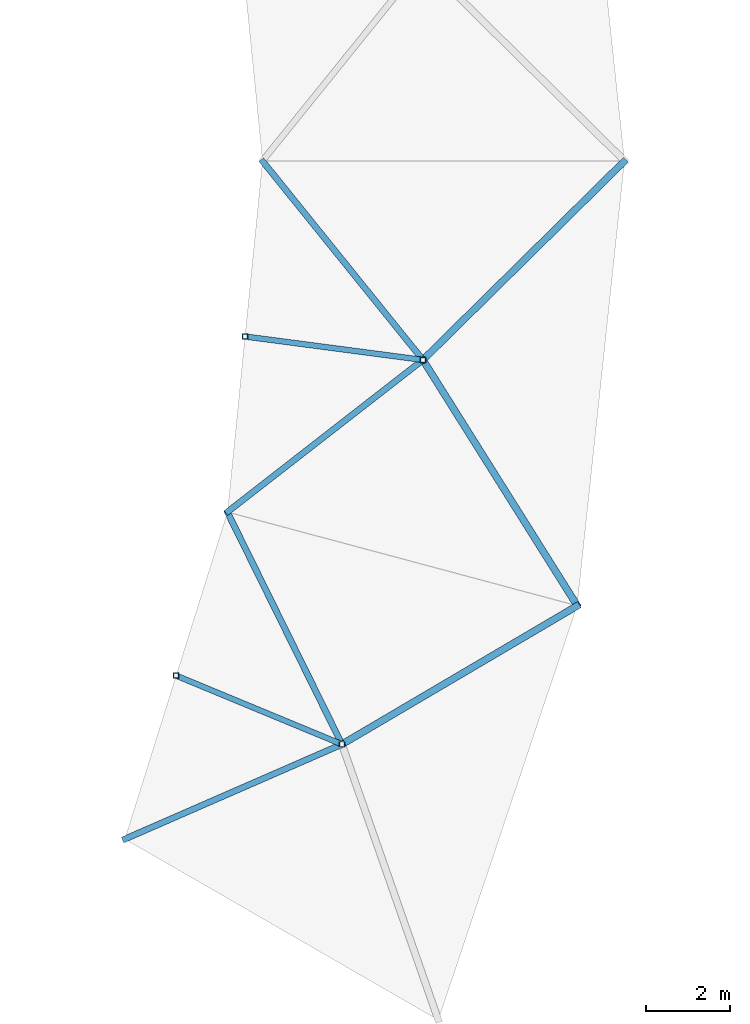
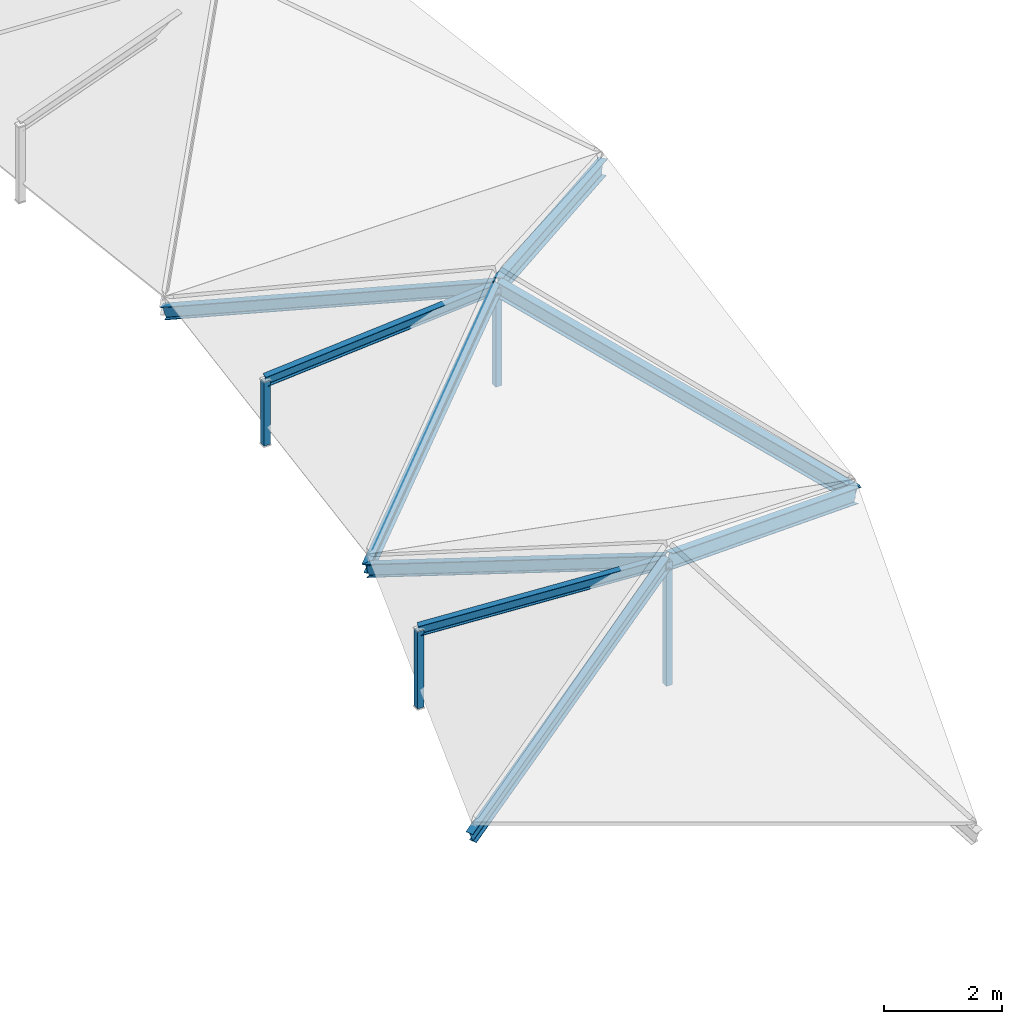
# One storey, part 11 of 28: 13 members.
"""IFC4 building model written with IfcOpenShell, lengths in metres."""

import ifcopenshell
import ifcopenshell.guid

model = None  # the IFC model being written
_history = None  # IfcOwnerHistory: only IFC2X3 demands one
_inside = {}  # id of a spatial element -> (the spatial element, [elements in it])
_under = {}  # id of a project, library or spatial element -> (it, [spatial elements below it])
_declared = {}  # id of a project -> (the project, [libraries it declares])
_typed = {}  # id of a type object -> (the type object, [elements of that type])
_made_of = {}  # id of a material, layer set ... -> (it, [elements and type objects made of it])


def new_model(schema):
    """Start an empty IFC model of exactly this schema.

    Asked for "IFC4X3", IfcOpenShell would pick the latest addendum, in which some entities
    have other attributes; the version numbers below select the first issue.
    IFC2X3 requires an IfcOwnerHistory on every rooted entity: one is made here for all.
    """
    global model, _history
    if schema == "IFC4X3":
        model = ifcopenshell.file(schema_version=(4, 3, 0, 0))
    else:
        model = ifcopenshell.file(schema=schema)
    _inside.clear()
    _under.clear()
    _declared.clear()
    _typed.clear()
    _made_of.clear()
    _history = None
    if model.schema == "IFC2X3":
        org = make("IfcOrganization", Name="unknown")
        user = make(
            "IfcPersonAndOrganization",
            ThePerson=make("IfcPerson", FamilyName="unknown"),
            TheOrganization=org,
        )
        app = make(
            "IfcApplication",
            ApplicationDeveloper=org,
            Version="unknown",
            ApplicationFullName="unknown",
            ApplicationIdentifier="unknown",
        )
        _history = make(
            "IfcOwnerHistory",
            OwningUser=user,
            OwningApplication=app,
            ChangeAction="ADDED",
            CreationDate=0,
        )
    return model


def make(cls, **values):
    """One entity of the class cls with the attributes given. An attribute that is None is left unset."""
    return model.create_entity(
        cls, **{name: value for name, value in values.items() if value is not None}
    )


def rooted(cls, **values):
    """An entity with a GlobalId (a new one), such as an element, a storey or a relation."""
    return make(cls, GlobalId=ifcopenshell.guid.new(), OwnerHistory=_history, **values)


def si_unit(unit_type, name, prefix=None):
    """IfcSIUnit, for example si_unit("LENGTHUNIT", "METRE", prefix="MILLI")."""
    return make("IfcSIUnit", UnitType=unit_type, Prefix=prefix, Name=name)


def assignment(units):
    """IfcUnitAssignment: the units of a project."""
    return None if units is None else make("IfcUnitAssignment", Units=units)


def point(xyz):
    """IfcCartesianPoint."""
    return None if xyz is None else make("IfcCartesianPoint", Coordinates=xyz)


def direction(xyz):
    """IfcDirection."""
    return None if xyz is None else make("IfcDirection", DirectionRatios=xyz)


def frame(location, z_axis=None, x_axis=None):
    """IfcAxis2Placement3D, a coordinate frame: its origin and axes. An axis left out is left unset."""
    return make(
        "IfcAxis2Placement3D",
        Location=point(location),
        Axis=direction(z_axis),
        RefDirection=direction(x_axis),
    )


def frame_2d(location, x_axis=None):
    """IfcAxis2Placement2D, a coordinate frame in the plane: its origin and x axis."""
    return make(
        "IfcAxis2Placement2D", Location=point(location), RefDirection=direction(x_axis)
    )


def origin():
    """The frame at (0, 0, 0) with its axes left unset."""
    return frame((0.0, 0.0, 0.0))


def origin_2d():
    """The frame at (0, 0) in the plane with its x axis left unset."""
    return frame_2d((0.0, 0.0))


def place(relative_to, where):
    """IfcLocalPlacement: puts the frame where relative to a parent placement (None: the world)."""
    return make(
        "IfcLocalPlacement", PlacementRelTo=relative_to, RelativePlacement=where
    )


def context(
    kind, dimensions, precision=None, world=None, true_north=None, identifier=None
):
    """IfcGeometricRepresentationContext, for example the 3D "Model" context."""
    return make(
        "IfcGeometricRepresentationContext",
        ContextIdentifier=identifier,
        ContextType=kind,
        CoordinateSpaceDimension=dimensions,
        Precision=precision,
        WorldCoordinateSystem=world,
        TrueNorth=true_north,
    )


def subcontext(parent, identifier, kind, view, scale=None):
    """IfcGeometricRepresentationSubContext, for example "Body" below "Model"."""
    return make(
        "IfcGeometricRepresentationSubContext",
        ContextIdentifier=identifier,
        ContextType=kind,
        ParentContext=parent,
        TargetScale=scale,
        TargetView=view,
    )


def project(units=None, contexts=None):
    """IfcProject with its units and contexts."""
    return rooted(
        "IfcProject",
        Name="project",
        RepresentationContexts=contexts,
        UnitsInContext=assignment(units),
    )


def spatial(cls, under=None, at=None, **own):
    """A site, building, storey or space (cls), placed at a placement, below another one or the project."""
    s = rooted(cls, ObjectPlacement=at, **own)
    if under is not None:
        _under.setdefault(under.id(), (under, []))[1].append(s)
    return s


def profile(cls, at=None, kind="AREA", **sizes):
    """A parametric profile (cls). Its sizes go by their IFC names, for example OverallWidth=200.0."""
    return make(cls, ProfileType=kind, Position=at, **sizes)


def hollow_rectangle(**sizes):
    """IfcRectangleHollowProfileDef."""
    return profile("IfcRectangleHollowProfileDef", **sizes)


def i_section(**sizes):
    """IfcIShapeProfileDef."""
    return profile("IfcIShapeProfileDef", **sizes)


def extrude(swept, where, along, depth):
    """IfcExtrudedAreaSolid: the profile swept, set in the frame where, extruded along a direction by depth."""
    return make(
        "IfcExtrudedAreaSolid",
        SweptArea=swept,
        Position=where,
        ExtrudedDirection=direction(along),
        Depth=depth,
    )


def shape(context_of_items, identifier, shape_type, items):
    """IfcShapeRepresentation: the items that make up one representation, for example the "Body"."""
    return make(
        "IfcShapeRepresentation",
        ContextOfItems=context_of_items,
        RepresentationIdentifier=identifier,
        RepresentationType=shape_type,
        Items=items,
    )


def material(Name=None, Category=None):
    """IfcMaterial."""
    return make("IfcMaterial", Name=Name, Category=Category)


def material_profile(
    of_material, cross_section, Name=None, Category=None, Priority=None
):
    """IfcMaterialProfile: a cross section and its material."""
    return make(
        "IfcMaterialProfile",
        Name=Name,
        Material=of_material,
        Profile=cross_section,
        Priority=Priority,
        Category=Category,
    )


def profile_set(profiles, Name=None, composite=None):
    """IfcMaterialProfileSet."""
    return make(
        "IfcMaterialProfileSet",
        Name=Name,
        MaterialProfiles=profiles,
        CompositeProfile=composite,
    )


def made_of(thing, what):
    """Note that an element or type object is made of a material, layer set ...; save() writes the relation."""
    if what is not None:
        _made_of.setdefault(what.id(), (what, []))[1].append(thing)
    return thing


def type_object(cls, material=None, **own):
    """A type object (cls), such as IfcWallType, which elements share."""
    return made_of(rooted(cls, **own), material)


def element(
    cls,
    number,
    at=None,
    inside=None,
    cuts=None,
    type_object=None,
    material=None,
    context=None,
    identifier="Body",
    shape_type=None,
    held_by="IfcProductDefinitionShape",
    body=None,
    shapes=None,
    **own,
):
    """One element of the class cls, such as IfcWall. Its Tag is "e" and its number.

    at: its placement. inside: the storey or other place that contains it. cuts: it is an
    opening in that element (IfcRelVoidsElement). A single representation is given by context,
    identifier, shape_type and body (its items); several are given by shapes. held_by: the class
    of the entity that holds the representations. save() writes the other relations.
    """
    e = rooted(cls, Tag="e%d" % number, ObjectPlacement=at, **own)
    if body is not None:
        shapes = [shape(context, identifier, shape_type, body)]
    if shapes is not None:
        e.Representation = make(held_by, Representations=shapes)
    if inside is not None:
        _inside.setdefault(inside.id(), (inside, []))[1].append(e)
    if cuts is not None:
        rooted(
            "IfcRelVoidsElement", RelatingBuildingElement=cuts, RelatedOpeningElement=e
        )
    if type_object is not None:
        _typed.setdefault(type_object.id(), (type_object, []))[1].append(e)
    return made_of(e, material)


def aggregate(whole, parts):
    """IfcRelAggregates: a whole, such as a stair, and the parts it consists of."""
    return rooted("IfcRelAggregates", RelatingObject=whole, RelatedObjects=parts)


def save(model, path):
    """Write the relations noted so far, then the file.

    IfcRelAggregates (storeys below a building ...), IfcRelContainedInSpatialStructure (elements
    in a storey), IfcRelDefinesByType, IfcRelAssociatesMaterial and IfcRelDeclares: one each for
    every whole, place, type object, material and project.
    """
    for whole, parts in _under.values():
        aggregate(whole, parts)
    for where, things in _inside.values():
        rooted(
            "IfcRelContainedInSpatialStructure",
            RelatedElements=things,
            RelatingStructure=where,
        )
    for kind, things in _typed.values():
        rooted("IfcRelDefinesByType", RelatedObjects=things, RelatingType=kind)
    for what, things in _made_of.values():
        rooted("IfcRelAssociatesMaterial", RelatedObjects=things, RelatingMaterial=what)
    for by, libraries in _declared.values():
        rooted("IfcRelDeclares", RelatingContext=by, RelatedDefinitions=libraries)
    model.write(path)


model = new_model("IFC4")

# Units and contexts
model_context = context("Model", 3, precision=1e-05, world=origin(), true_north=direction((0.0, 1.0)))
body_context = subcontext(model_context, "Body", "Model", "MODEL_VIEW")
ifc_project = project(units=[si_unit("LENGTHUNIT", "METRE"), si_unit("AREAUNIT", "SQUARE_METRE"), si_unit("VOLUMEUNIT", "CUBIC_METRE"), si_unit("PLANEANGLEUNIT", "RADIAN"), si_unit("MASSUNIT", "GRAM", prefix="KILO")], contexts=[model_context])

# Site, building, storey
site_placement = place(None, origin())
site = spatial("IfcSite", under=ifc_project, at=site_placement, CompositionType="ELEMENT")
building_placement = place(site_placement, origin())
building = spatial("IfcBuilding", under=site, at=building_placement, Name="Karori Crest Natural Sciences Institute", CompositionType="ELEMENT")
storey_placement = place(building_placement, frame((0.0, 0.0, 34.300048828125)))
storey = spatial("IfcBuildingStorey", under=building, at=storey_placement, Name="L08", CompositionType="ELEMENT", Elevation=34.300048828125)

# Members
ifc_material_1 = material(Name="Structural steel AS/NZS 3679.1 Grade 350", Category="steel")
ifc_material_profile_1 = material_profile(ifc_material_1, i_section(OverallWidth=0.166015625, OverallDepth=0.306884765625, WebThickness=0.006591796875, FlangeThickness=0.01171875, FilletRadius=0.010986328125, at=origin_2d()), Name="310UB46.2")
ifc_profile_set_1 = profile_set([ifc_material_profile_1], Name="Structural steel AS/NZS 3679.1 Grade 350")
member_type_1 = type_object("IfcMemberType", Name="MT-06", PredefinedType="RAFTER", material=ifc_profile_set_1)
member_1_placement = place(storey_placement, frame((98.275634765625, 39.340087890625, -0.260009765625), z_axis=(-0.801102803976, -0.471525224801, 0.368643811609), x_axis=(0.507250508331, -0.861798655022, 0.0)))
element("IfcMember", 1, at=member_1_placement, inside=storey, type_object=member_type_1, Name="Member M-0186", PredefinedType="RAFTER", context=body_context, shape_type="SweptSolid", body=[
    extrude(i_section(OverallWidth=0.166015625, OverallDepth=0.306884765625, WebThickness=0.006591796875, FlangeThickness=0.01171875, FilletRadius=0.010986328125, at=origin_2d()), origin(), (0.0, 0.0, 1.0), 6.974365234375),
])
member_2_placement = place(storey_placement, frame((98.275634765625, 39.340087890625, -0.260009765625), z_axis=(-0.509636740355, 0.811683938369, 0.28537620271), x_axis=(-0.846901861547, -0.531749223702, 0.0)))
element("IfcMember", 2, at=member_2_placement, inside=storey, type_object=member_type_1, Name="Member M-0192", PredefinedType="RAFTER", context=body_context, shape_type="SweptSolid", body=[
    extrude(i_section(OverallWidth=0.166015625, OverallDepth=0.306884765625, WebThickness=0.006591796875, FlangeThickness=0.01171875, FilletRadius=0.010986328125, at=origin_2d()), origin(), (0.0, 0.0, 1.0), 7.1904296875),
])
member_3_placement = place(storey_placement, frame((99.39990234375, 49.89990234375, -0.260009765625), z_axis=(-0.68097021765, -0.671666112713, 0.291794783551), x_axis=(0.702226337042, -0.711953770666, 0.0)))
element("IfcMember", 3, at=member_3_placement, inside=storey, type_object=member_type_1, Name="Member M-0193", PredefinedType="RAFTER", context=body_context, shape_type="SweptSolid", body=[
    extrude(i_section(OverallWidth=0.166015625, OverallDepth=0.306884765625, WebThickness=0.006591796875, FlangeThickness=0.01171875, FilletRadius=0.010986328125, at=origin_2d()), origin(), (0.0, 0.0, 1.0), 7.0322265625),
])
ifc_material_profile_2 = material_profile(ifc_material_1, i_section(OverallWidth=0.14599609375, OverallDepth=0.256103515625, WebThickness=0.00634765625, FlangeThickness=0.010986328125, FilletRadius=0.009033203125, at=origin_2d()), Name="250UB37.3")
ifc_profile_set_2 = profile_set([ifc_material_profile_2], Name="Structural steel AS/NZS 3679.1 Grade 350")
member_type_2 = type_object("IfcMemberType", Name="MT-07", PredefinedType="RAFTER", material=ifc_profile_set_2)
member_4_placement = place(storey_placement, frame((87.531005859375, 33.800048828125, -0.260009765625), z_axis=(0.833599058246, 0.363902982965, 0.415556529344), x_axis=(-0.400083601818, 0.916478647627, 0.0)))
element("IfcMember", 4, at=member_4_placement, inside=storey, type_object=member_type_2, Name="Member M-0187", PredefinedType="RAFTER", context=body_context, shape_type="SweptSolid", body=[
    extrude(i_section(OverallWidth=0.14599609375, OverallDepth=0.256103515625, WebThickness=0.00634765625, FlangeThickness=0.010986328125, FilletRadius=0.009033203125, at=origin_2d()), origin(), (0.0, 0.0, 1.0), 6.18701171875),
])
member_5_placement = place(storey_placement, frame((89.968505859375, 41.56591796875, -0.260009765625), z_axis=(0.408120863572, -0.827414589848, 0.385775138163), x_axis=(0.896836130433, 0.44236292244, 0.0)))
element("IfcMember", 5, at=member_5_placement, inside=storey, type_object=member_type_2, Name="Member M-0188", PredefinedType="RAFTER", context=body_context, shape_type="SweptSolid", body=[
    extrude(i_section(OverallWidth=0.14599609375, OverallDepth=0.256103515625, WebThickness=0.00634765625, FlangeThickness=0.010986328125, FilletRadius=0.009033203125, at=origin_2d()), origin(), (0.0, 0.0, 1.0), 6.66455078125),
])
member_6_placement = place(storey_placement, frame((89.968505859375, 41.56591796875, -0.260009765625), z_axis=(0.74531480508, 0.579641388953, 0.329426321871), x_axis=(-0.613909000654, 0.789376804141, 0.0)))
element("IfcMember", 6, at=member_6_placement, inside=storey, type_object=member_type_2, Name="Member M-0194", PredefinedType="RAFTER", context=body_context, shape_type="SweptSolid", body=[
    extrude(i_section(OverallWidth=0.14599609375, OverallDepth=0.256103515625, WebThickness=0.00634765625, FlangeThickness=0.010986328125, FilletRadius=0.009033203125, at=origin_2d()), origin(), (0.0, 0.0, 1.0), 6.22900390625),
])
member_7_placement = place(storey_placement, frame((90.800048828125, 49.89990234375, -0.260009765625), z_axis=(0.594856604786, -0.73726398032, 0.320292745883), x_axis=(0.778264006658, 0.627937207005, 0.0)))
element("IfcMember", 7, at=member_7_placement, inside=storey, type_object=member_type_2, Name="Member M-0195", PredefinedType="RAFTER", context=body_context, shape_type="SweptSolid", body=[
    extrude(i_section(OverallWidth=0.14599609375, OverallDepth=0.256103515625, WebThickness=0.00634765625, FlangeThickness=0.010986328125, FilletRadius=0.009033203125, at=origin_2d()), origin(), (0.0, 0.0, 1.0), 6.40673828125),
])
ifc_material_profile_3 = material_profile(ifc_material_1, i_section(OverallWidth=0.133056640625, OverallDepth=0.202880859375, WebThickness=0.005859375, FlangeThickness=0.0078125, FilletRadius=0.009033203125, at=origin_2d()), Name="200UB25.4")
ifc_profile_set_3 = profile_set([ifc_material_profile_3], Name="Structural steel AS/NZS 3679.1 Grade 350")
member_type_3 = type_object("IfcMemberType", Name="MT-09", PredefinedType="PURLIN", material=ifc_profile_set_3)
member_8_placement = place(storey_placement, frame((88.749755859375, 37.68310546875, 1.27392578125), z_axis=(0.897689587758, -0.371862611727, 0.236371745416), x_axis=(0.382707510161, 0.923869558794, 0.0)))
element("IfcMember", 8, at=member_8_placement, inside=storey, type_object=member_type_3, Name="Member M-0189", PredefinedType="PURLIN", context=body_context, shape_type="SweptSolid", body=[
    extrude(i_section(OverallWidth=0.133056640625, OverallDepth=0.202880859375, WebThickness=0.005859375, FlangeThickness=0.0078125, FilletRadius=0.009033203125, at=origin_2d()), origin(), (0.0, 0.0, 1.0), 4.3876953125),
])
member_9_placement = place(storey_placement, frame((90.38427734375, 45.73291015625, 0.990966796875), z_axis=(0.974396877164, -0.128264915558, 0.184658704671), x_axis=(0.13050932249, 0.99144708217, 0.0)))
element("IfcMember", 9, at=member_9_placement, inside=storey, type_object=member_type_3, Name="Member M-0196", PredefinedType="PURLIN", context=body_context, shape_type="SweptSolid", body=[
    extrude(i_section(OverallWidth=0.133056640625, OverallDepth=0.202880859375, WebThickness=0.005859375, FlangeThickness=0.0078125, FilletRadius=0.009033203125, at=origin_2d()), origin(), (0.0, 0.0, 1.0), 4.337890625),
])
ifc_material_2 = material(Name="Hollow structural steel AS/NZS 1163 Grade C350", Category="steel")
ifc_material_profile_4 = material_profile(ifc_material_2, hollow_rectangle(XDim=0.125, YDim=0.125, WallThickness=0.006103515625, at=origin_2d()), Name="SHS125x125x6")
ifc_profile_set_4 = profile_set([ifc_material_profile_4], Name="Hollow structural steel AS/NZS 1163 Grade C350")
member_type_4 = type_object("IfcMemberType", Name="MT-20", PredefinedType="STRUT", material=ifc_profile_set_4)
member_10_placement = place(storey_placement, frame((92.6884765625, 36.051513671875, -0.2451171875), z_axis=(0.0, 0.0, 1.0), x_axis=(1.0, 0.0, 0.0)))
element("IfcMember", 10, at=member_10_placement, inside=storey, type_object=member_type_4, Name="Member M-0183", PredefinedType="STRUT", context=body_context, shape_type="SweptSolid", body=[
    extrude(hollow_rectangle(XDim=0.125, YDim=0.125, WallThickness=0.006103515625, at=origin_2d()), origin(), (0.0, 0.0, 1.0), 2.55615234375),
])
member_11_placement = place(storey_placement, frame((88.749755859375, 37.68310546875, -0.322998046875), z_axis=(0.0, 0.0, 1.0), x_axis=(1.0, 0.0, 0.0)))
element("IfcMember", 11, at=member_11_placement, inside=storey, type_object=member_type_4, Name="Member M-0184", PredefinedType="STRUT", context=body_context, shape_type="SweptSolid", body=[
    extrude(hollow_rectangle(XDim=0.125, YDim=0.125, WallThickness=0.006103515625, at=origin_2d()), origin(), (0.0, 0.0, 1.0), 1.596923828125),
])
member_12_placement = place(storey_placement, frame((94.611083984375, 45.176513671875, -0.2451171875), z_axis=(0.0, 0.0, 1.0), x_axis=(1.0, 0.0, 0.0)))
element("IfcMember", 12, at=member_12_placement, inside=storey, type_object=member_type_4, Name="Member M-0190", PredefinedType="STRUT", context=body_context, shape_type="SweptSolid", body=[
    extrude(hollow_rectangle(XDim=0.125, YDim=0.125, WallThickness=0.006103515625, at=origin_2d()), origin(), (0.0, 0.0, 1.0), 2.037109375),
])
member_13_placement = place(storey_placement, frame((90.38427734375, 45.73291015625, -0.322998046875), z_axis=(0.0, 0.0, 1.0), x_axis=(1.0, 0.0, 0.0)))
element("IfcMember", 13, at=member_13_placement, inside=storey, type_object=member_type_4, Name="Member M-0191", PredefinedType="STRUT", context=body_context, shape_type="SweptSolid", body=[
    extrude(hollow_rectangle(XDim=0.125, YDim=0.125, WallThickness=0.006103515625, at=origin_2d()), origin(), (0.0, 0.0, 1.0), 1.31396484375),
])

save(model, "model.ifc")
